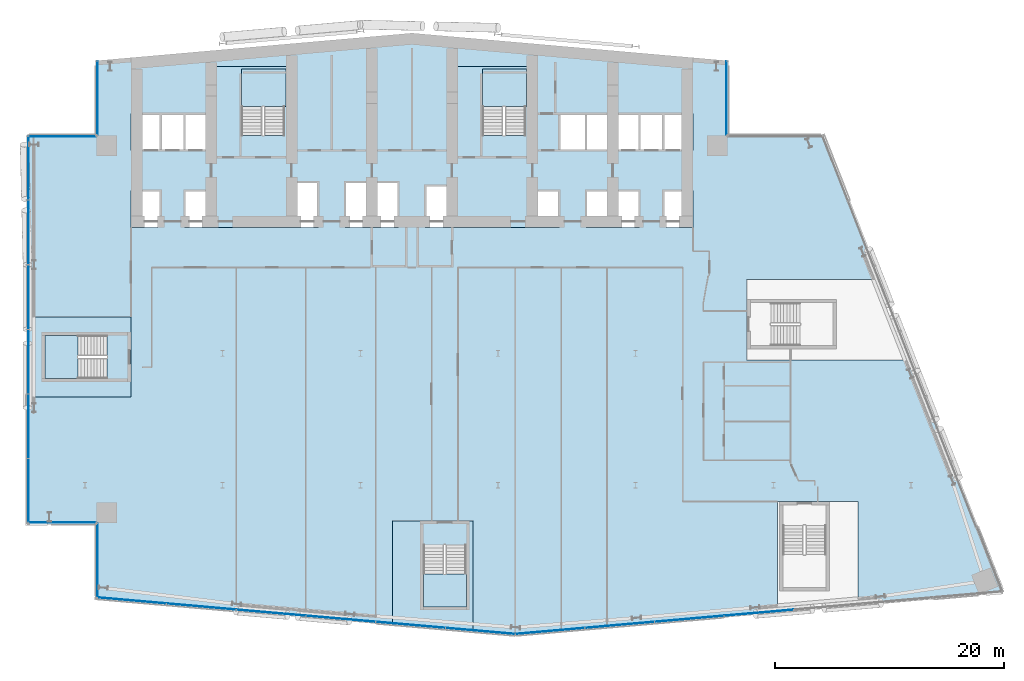
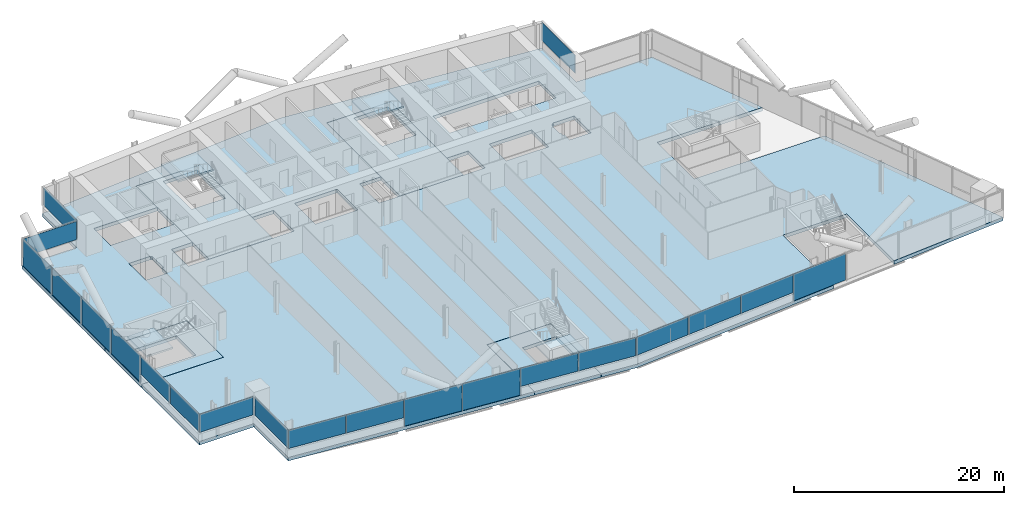
# One storey, part 12 of 26: 21 plates, 9 slabs, 12 elements without a shape of their own.
"""IFC4 building model written with IfcOpenShell, lengths in metres."""

from ifc_helpers import new_model, si_unit, direction, frame, origin, origin_2d, place, context, subcontext, project, spatial, polyline, rectangle, outline, extrude, material, layer, layer_set, type_object, element, aggregate, save


model = new_model("IFC4")

# Units and contexts
model_context = context("Model", 3, precision=1e-05, world=origin(), true_north=direction((0.0, 1.0)))
body_context = subcontext(model_context, "Body", "Model", "MODEL_VIEW")
ifc_project = project(units=[si_unit("LENGTHUNIT", "METRE"), si_unit("AREAUNIT", "SQUARE_METRE"), si_unit("VOLUMEUNIT", "CUBIC_METRE"), si_unit("PLANEANGLEUNIT", "RADIAN"), si_unit("MASSUNIT", "GRAM", prefix="KILO")], contexts=[model_context])

# Site, building, storey
site_placement = place(None, origin())
site = spatial("IfcSite", under=ifc_project, at=site_placement, CompositionType="ELEMENT")
building_placement = place(site_placement, origin())
building = spatial("IfcBuilding", under=site, at=building_placement, Name="Wharfspan Tower", CompositionType="ELEMENT")
storey_placement = place(building_placement, frame((0.0, 0.0, 125.5)))
storey = spatial("IfcBuildingStorey", under=building, at=storey_placement, Name="L29", CompositionType="ELEMENT", Elevation=125.5)

# Curtain wall, plates
ifc_material_1 = material(Name="Aluminium 6063-T6", Category="aluminium")
curtain_wall_type_1 = type_object("IfcCurtainWallType", Name="CURTAIN WALL FACETED FRONT", PredefinedType="NOTDEFINED", material=ifc_material_1)
curtain_wall_1_placement = place(storey_placement, origin())
curtain_wall_1 = element("IfcCurtainWall", 1, at=curtain_wall_1_placement, inside=storey, type_object=curtain_wall_type_1, Name="Curtain wall S1", PredefinedType="NOTDEFINED")
ifc_material_2 = material(Name="Glass clear low-iron double glazing", Category="glass")
ifc_layer_1 = layer(ifc_material_2, 0.040039)
ifc_layer_set_1 = layer_set([ifc_layer_1], Name="Glass clear low-iron double glazing")
plate_type_1 = type_object("IfcPlateType", Name="GLASS PANEL FACETED FRONT 40", PredefinedType="CURTAIN_PANEL", material=ifc_layer_set_1)
plate_1_placement = place(storey_placement, frame((16.061768, 1.467529, 1.0), z_axis=(0.0, 0.0, 1.0), x_axis=(0.996198, -0.087156, 0.0)))
plate_1 = element("IfcPlate", 2, at=plate_1_placement, type_object=plate_type_1, Name="Curtain wall S1 panel 1", PredefinedType="CURTAIN_PANEL", context=body_context, shape_type="SweptSolid", body=[
    extrude(rectangle(XDim=6.016602, YDim=0.040039, at=origin_2d()), origin(), (0.0, 0.0, 1.0), 2.120117),
])
plate_2_placement = place(storey_placement, frame((22.130127, 0.936523, 1.0), z_axis=(0.0, 0.0, 1.0), x_axis=(0.996198, -0.087156, 0.0)))
plate_2 = element("IfcPlate", 3, at=plate_2_placement, type_object=plate_type_1, Name="Curtain wall S1 panel 2", PredefinedType="CURTAIN_PANEL", context=body_context, shape_type="SweptSolid", body=[
    extrude(rectangle(XDim=6.046631, YDim=0.040039, at=origin_2d()), origin(), (0.0, 0.0, 1.0), 2.120117),
])
plate_3_placement = place(storey_placement, frame((40.380127, -0.660156, 1.0), z_axis=(0.0, 0.0, 1.0), x_axis=(0.996198, -0.087156, 0.0)))
plate_3 = element("IfcPlate", 4, at=plate_3_placement, type_object=plate_type_1, Name="Curtain wall S1 panel 5", PredefinedType="CURTAIN_PANEL", context=body_context, shape_type="SweptSolid", body=[
    extrude(rectangle(XDim=6.046631, YDim=0.040039, at=origin_2d()), origin(), (0.0, 0.0, 1.0), 2.120117),
])
plate_4_placement = place(storey_placement, frame((46.44873, -1.191162, 1.0), z_axis=(0.0, 0.0, 1.0), x_axis=(0.996198, -0.087156, 0.0)))
plate_4 = element("IfcPlate", 5, at=plate_4_placement, type_object=plate_type_1, Name="Curtain wall S1 panel 6", PredefinedType="CURTAIN_PANEL", context=body_context, shape_type="SweptSolid", body=[
    extrude(rectangle(XDim=6.016602, YDim=0.040039, at=origin_2d()), origin(), (0.0, 0.0, 1.0), 2.120117),
])

curtain_wall_2_placement = place(storey_placement, origin())
curtain_wall_2 = element("IfcCurtainWall", 6, at=curtain_wall_2_placement, inside=storey, type_object=curtain_wall_type_1, Name="Curtain wall S2", PredefinedType="NOTDEFINED")
plate_5_placement = place(storey_placement, frame((52.54541, -1.19165, 1.0), z_axis=(0.0, 0.0, 1.0), x_axis=(0.996198, 0.087156, 0.0)))
plate_5 = element("IfcPlate", 7, at=plate_5_placement, type_object=plate_type_1, Name="Curtain wall S2 panel 1", PredefinedType="CURTAIN_PANEL", context=body_context, shape_type="SweptSolid", body=[
    extrude(rectangle(XDim=6.004639, YDim=0.040039, at=origin_2d()), origin(), (0.0, 0.0, 1.0), 2.120117),
])
plate_6_placement = place(storey_placement, frame((58.601807, -0.661621, 1.0), z_axis=(0.0, 0.0, 1.0), x_axis=(0.996198, 0.087156, 0.0)))
plate_6 = element("IfcPlate", 8, at=plate_6_placement, type_object=plate_type_1, Name="Curtain wall S2 panel 2", PredefinedType="CURTAIN_PANEL", context=body_context, shape_type="SweptSolid", body=[
    extrude(rectangle(XDim=6.034668, YDim=0.040039, at=origin_2d()), origin(), (0.0, 0.0, 1.0), 2.120117),
])
plate_7_placement = place(storey_placement, frame((64.67334, -0.130615, 1.0), z_axis=(0.0, 0.0, 1.0), x_axis=(0.996198, 0.087156, 0.0)))
plate_7 = element("IfcPlate", 9, at=plate_7_placement, type_object=plate_type_1, Name="Curtain wall S2 panel 3", PredefinedType="CURTAIN_PANEL", context=body_context, shape_type="SweptSolid", body=[
    extrude(rectangle(XDim=6.034668, YDim=0.040039, at=origin_2d()), origin(), (0.0, 0.0, 1.0), 2.120117),
])

# Curtain wall, plate
curtain_wall_type_2 = type_object("IfcCurtainWallType", Name="CURTAIN WALL PROW AND END", PredefinedType="NOTDEFINED", material=ifc_material_1)
curtain_wall_3_placement = place(storey_placement, origin())
curtain_wall_3 = element("IfcCurtainWall", 10, at=curtain_wall_3_placement, inside=storey, type_object=curtain_wall_type_2, Name="Curtain wall NRE-V", PredefinedType="NOTDEFINED")
ifc_layer_2 = layer(ifc_material_2, 0.040039)
ifc_layer_set_2 = layer_set([ifc_layer_2], Name="Glass clear low-iron double glazing")
plate_type_2 = type_object("IfcPlateType", Name="GLASS PANEL PROW AND END 40", PredefinedType="CURTAIN_PANEL", material=ifc_layer_set_2)
plate_8_placement = place(storey_placement, frame((67.919922, 45.262451, 1.0), z_axis=(0.0, 0.0, 1.0), x_axis=(0.0, 1.0, 0.0)))
plate_8 = element("IfcPlate", 11, at=plate_8_placement, type_object=plate_type_2, Name="Curtain wall NRE-V panel 1", PredefinedType="CURTAIN_PANEL", context=body_context, shape_type="SweptSolid", body=[
    extrude(rectangle(XDim=6.405029, YDim=0.040039, at=origin_2d()), origin(), (0.0, 0.0, 1.0), 2.120117),
])
aggregate(curtain_wall_3, [plate_8])

curtain_wall_4_placement = place(storey_placement, origin())
curtain_wall_4 = element("IfcCurtainWall", 12, at=curtain_wall_4_placement, inside=storey, type_object=curtain_wall_type_2, Name="Curtain wall NRW-V", PredefinedType="NOTDEFINED")
plate_9_placement = place(storey_placement, frame((13.080078, 45.262451, 1.0), z_axis=(0.0, 0.0, 1.0), x_axis=(0.0, -1.0, 0.0)))
plate_9 = element("IfcPlate", 13, at=plate_9_placement, type_object=plate_type_2, Name="Curtain wall NRW-V panel 1", PredefinedType="CURTAIN_PANEL", context=body_context, shape_type="SweptSolid", body=[
    extrude(rectangle(XDim=6.405029, YDim=0.040039, at=origin_2d()), origin(), (0.0, 0.0, 1.0), 2.120117),
])
aggregate(curtain_wall_4, [plate_9])

curtain_wall_5_placement = place(storey_placement, origin())
curtain_wall_5 = element("IfcCurtainWall", 14, at=curtain_wall_5_placement, inside=storey, type_object=curtain_wall_type_2, Name="Curtain wall NRW-H", PredefinedType="NOTDEFINED")
plate_10_placement = place(storey_placement, frame((10.0, 41.919922, 1.0), z_axis=(0.0, 0.0, 1.0), x_axis=(-1.0, 0.0, 0.0)))
plate_10 = element("IfcPlate", 15, at=plate_10_placement, type_object=plate_type_2, Name="Curtain wall NRW-H panel 1", PredefinedType="CURTAIN_PANEL", context=body_context, shape_type="SweptSolid", body=[
    extrude(rectangle(XDim=5.879883, YDim=0.040039, at=origin_2d()), origin(), (0.0, 0.0, 1.0), 2.120117),
])
aggregate(curtain_wall_5, [plate_10])

# Curtain wall, plates
curtain_wall_6_placement = place(storey_placement, origin())
curtain_wall_6 = element("IfcCurtainWall", 16, at=curtain_wall_6_placement, inside=storey, type_object=curtain_wall_type_2, Name="Curtain wall W", PredefinedType="NOTDEFINED")
plate_11_placement = place(storey_placement, frame((7.080078, 16.649902, 1.0), z_axis=(0.0, 0.0, 1.0), x_axis=(0.0, -1.0, 0.0)))
plate_11 = element("IfcPlate", 17, at=plate_11_placement, type_object=plate_type_2, Name="Curtain wall W panel 5", PredefinedType="CURTAIN_PANEL", context=body_context, shape_type="SweptSolid", body=[
    extrude(rectangle(XDim=5.573242, YDim=0.040039, at=origin_2d()), origin(), (0.0, 0.0, 1.0), 2.120117),
])
plate_12_placement = place(storey_placement, frame((7.080078, 11.031738, 1.0), z_axis=(0.0, 0.0, 1.0), x_axis=(0.0, -1.0, 0.0)))
plate_12 = element("IfcPlate", 18, at=plate_12_placement, type_object=plate_type_2, Name="Curtain wall W panel 6", PredefinedType="CURTAIN_PANEL", context=body_context, shape_type="SweptSolid", body=[
    extrude(rectangle(XDim=5.543213, YDim=0.040039, at=origin_2d()), origin(), (0.0, 0.0, 1.0), 2.120117),
])

# Curtain wall, plate
curtain_wall_7_placement = place(storey_placement, origin())
curtain_wall_7 = element("IfcCurtainWall", 19, at=curtain_wall_7_placement, inside=storey, type_object=curtain_wall_type_2, Name="Curtain wall NFW-H", PredefinedType="NOTDEFINED")
plate_13_placement = place(storey_placement, frame((10.0, 8.280029, 1.0), z_axis=(0.0, 0.0, 1.0), x_axis=(1.0, 0.0, 0.0)))
plate_13 = element("IfcPlate", 20, at=plate_13_placement, type_object=plate_type_2, Name="Curtain wall NFW-H panel 1", PredefinedType="CURTAIN_PANEL", context=body_context, shape_type="SweptSolid", body=[
    extrude(rectangle(XDim=5.879883, YDim=0.040039, at=origin_2d()), origin(), (0.0, 0.0, 1.0), 2.120117),
])
aggregate(curtain_wall_7, [plate_13])

curtain_wall_8_placement = place(storey_placement, origin())
curtain_wall_8 = element("IfcCurtainWall", 21, at=curtain_wall_8_placement, inside=storey, type_object=curtain_wall_type_2, Name="Curtain wall NFW-V", PredefinedType="NOTDEFINED")
plate_14_placement = place(storey_placement, frame((13.080078, 4.9375, 1.0), z_axis=(0.0, 0.0, 1.0), x_axis=(0.0, -1.0, 0.0)))
plate_14 = element("IfcPlate", 22, at=plate_14_placement, type_object=plate_type_2, Name="Curtain wall NFW-V panel 1", PredefinedType="CURTAIN_PANEL", context=body_context, shape_type="SweptSolid", body=[
    extrude(rectangle(XDim=6.405029, YDim=0.040039, at=origin_2d()), origin(), (0.0, 0.0, 1.0), 2.120117),
])
aggregate(curtain_wall_8, [plate_14])

# Plate
ifc_material_3 = material(Name="Aluminium composite opaque insulated panel", Category="aluminium")
ifc_layer_3 = layer(ifc_material_3, 0.040039)
ifc_layer_set_3 = layer_set([ifc_layer_3], Name="Aluminium composite opaque insulated panel")
plate_type_3 = type_object("IfcPlateType", Name="INFILL PANEL FACETED FRONT OPAQUE 40", PredefinedType="SHEET", material=ifc_layer_set_3)
plate_15_placement = place(storey_placement, frame((28.213623, 0.404297, 0.0), z_axis=(0.0, 0.0, 1.0), x_axis=(0.996198, -0.087156, 0.0)))
plate_15 = element("IfcPlate", 23, at=plate_15_placement, type_object=plate_type_3, Name="Curtain wall S1 panel 3", PredefinedType="SHEET", context=body_context, shape_type="SweptSolid", body=[
    extrude(rectangle(XDim=6.046631, YDim=0.040039, at=origin_2d()), origin(), (0.0, 0.0, 1.0), 3.120117),
])

plate_16_placement = place(storey_placement, frame((34.296875, -0.12793, 0.0), z_axis=(0.0, 0.0, 1.0), x_axis=(0.996198, -0.087156, 0.0)))
plate_16 = element("IfcPlate", 24, at=plate_16_placement, type_object=plate_type_3, Name="Curtain wall S1 panel 4", PredefinedType="SHEET", context=body_context, shape_type="SweptSolid", body=[
    extrude(rectangle(XDim=6.046631, YDim=0.040039, at=origin_2d()), origin(), (0.0, 0.0, 1.0), 3.120117),
])

aggregate(curtain_wall_1, [plate_1, plate_2, plate_15, plate_16, plate_3, plate_4])

plate_17_placement = place(storey_placement, frame((70.744873, 0.400635, 0.0), z_axis=(0.0, 0.0, 1.0), x_axis=(0.996198, 0.087156, 0.0)))
plate_17 = element("IfcPlate", 25, at=plate_17_placement, type_object=plate_type_3, Name="Curtain wall S2 panel 4", PredefinedType="SHEET", context=body_context, shape_type="SweptSolid", body=[
    extrude(rectangle(XDim=6.034668, YDim=0.040039, at=origin_2d()), origin(), (0.0, 0.0, 1.0), 3.120117),
])

aggregate(curtain_wall_2, [plate_5, plate_6, plate_7, plate_17])

ifc_layer_4 = layer(ifc_material_3, 0.040039)
ifc_layer_set_4 = layer_set([ifc_layer_4], Name="Aluminium composite opaque insulated panel")
plate_type_4 = type_object("IfcPlateType", Name="INFILL PANEL PROW AND END OPAQUE 40", PredefinedType="SHEET", material=ifc_layer_set_4)
plate_18_placement = place(storey_placement, frame((7.080078, 39.168213, 0.0), z_axis=(0.0, 0.0, 1.0), x_axis=(0.0, -1.0, 0.0)))
plate_18 = element("IfcPlate", 26, at=plate_18_placement, type_object=plate_type_4, Name="Curtain wall W panel 1", PredefinedType="SHEET", context=body_context, shape_type="SweptSolid", body=[
    extrude(rectangle(XDim=5.543213, YDim=0.040039, at=origin_2d()), origin(), (0.0, 0.0, 1.0), 3.120117),
])

plate_19_placement = place(storey_placement, frame((7.080078, 33.550049, 0.0), z_axis=(0.0, 0.0, 1.0), x_axis=(0.0, -1.0, 0.0)))
plate_19 = element("IfcPlate", 27, at=plate_19_placement, type_object=plate_type_4, Name="Curtain wall W panel 2", PredefinedType="SHEET", context=body_context, shape_type="SweptSolid", body=[
    extrude(rectangle(XDim=5.573242, YDim=0.040039, at=origin_2d()), origin(), (0.0, 0.0, 1.0), 3.120117),
])

plate_20_placement = place(storey_placement, frame((7.080078, 27.916748, 0.0), z_axis=(0.0, 0.0, 1.0), x_axis=(0.0, -1.0, 0.0)))
plate_20 = element("IfcPlate", 28, at=plate_20_placement, type_object=plate_type_4, Name="Curtain wall W panel 3", PredefinedType="SHEET", context=body_context, shape_type="SweptSolid", body=[
    extrude(rectangle(XDim=5.573242, YDim=0.040039, at=origin_2d()), origin(), (0.0, 0.0, 1.0), 3.120117),
])

plate_21_placement = place(storey_placement, frame((7.080078, 22.283447, 0.0), z_axis=(0.0, 0.0, 1.0), x_axis=(0.0, -1.0, 0.0)))
plate_21 = element("IfcPlate", 29, at=plate_21_placement, type_object=plate_type_4, Name="Curtain wall W panel 4", PredefinedType="SHEET", context=body_context, shape_type="SweptSolid", body=[
    extrude(rectangle(XDim=5.573242, YDim=0.040039, at=origin_2d()), origin(), (0.0, 0.0, 1.0), 3.120117),
])

aggregate(curtain_wall_6, [plate_18, plate_19, plate_20, plate_21, plate_11, plate_12])

# Slabs
ifc_material_4 = material(Name="Concrete C40/50", Category="concrete")
ifc_layer_5 = layer(ifc_material_4, 0.399902)
ifc_layer_set_5 = layer_set([ifc_layer_5], Name="Concrete C40/50")
slab_type_1 = type_object("IfcSlabType", Name="Post-tensioned flat slab 400", PredefinedType="FLOOR", material=ifc_layer_set_5)
slab_1_placement = place(storey_placement, frame((0.0, 0.0, -0.400146)))
element("IfcSlab", 30, at=slab_1_placement, inside=storey, type_object=slab_type_1, Name="Floor slab L29", PredefinedType="FLOOR", context=body_context, shape_type="SweptSolid", body=[
    extrude(outline(polyline([(38.800293, -0.582275), (38.800293, 8.427002), (45.820312, 8.427002), (45.820312, -1.196289), (49.5, -1.518311), (72.355957, 0.481445), (72.355957, 10.104736), (79.375977, 10.104736), (79.375977, 1.095459), (92.0, 2.199951), (84.04541, 22.439941), (69.68042, 22.439941), (69.68042, 29.459961), (81.286621, 29.459961), (76.358154, 42.0), (68.0, 42.0), (68.0, 48.524902), (40.5, 50.930908), (13.0, 48.524902), (13.0, 42.0), (7.0, 42.0), (7.0, 26.209961), (16.01001, 26.209961), (16.01001, 19.189941), (7.0, 19.189941), (7.0, 8.199951), (13.0, 8.199951), (13.0, 1.675049), (38.800293, -0.582275)]), holes=[polyline([(62.48999, 35.389893), (62.36499, 35.389893), (62.36499, 36.909912), (62.48999, 36.909912), (62.48999, 37.110107), (62.656738, 37.110107), (62.656738, 37.209961), (65.01001, 37.209961), (65.01001, 33.98999), (62.656738, 33.98999), (62.656738, 34.98999), (62.48999, 34.98999), (62.48999, 35.389893)]), polyline([(65.01001, 43.909912), (65.01001, 40.689941), (53.323242, 40.689941), (53.323242, 43.909912), (65.01001, 43.909912)]), polyline([(55.656738, 33.98999), (55.656738, 37.209961), (60.343262, 37.209961), (60.343262, 33.98999), (55.656738, 33.98999)]), polyline([(43.98999, 37.659912), (43.98999, 48.01001), (51.01001, 48.01001), (51.01001, 37.209961), (53.343262, 37.209961), (53.343262, 33.98999), (41.656738, 33.98999), (41.656738, 37.659912), (43.98999, 37.659912)]), polyline([(34.656738, 33.98999), (34.656738, 37.959961), (39.343262, 37.959961), (39.343262, 33.98999), (34.656738, 33.98999)]), polyline([(20.656738, 37.209961), (22.98999, 37.209961), (22.98999, 40.689941), (20.676758, 40.689941), (20.656738, 40.689941), (15.98999, 40.689941), (15.98999, 43.909912), (20.656738, 43.909912), (20.676758, 43.909912), (22.98999, 43.909912), (22.98999, 48.01001), (30.01001, 48.01001), (30.01001, 37.959961), (32.343262, 37.959961), (32.343262, 33.98999), (20.656738, 33.98999), (20.656738, 37.209961)]), polyline([(18.51001, 34.98999), (18.343262, 34.98999), (18.343262, 33.98999), (15.98999, 33.98999), (15.98999, 37.209961), (18.343262, 37.209961), (18.343262, 37.110107), (18.51001, 37.110107), (18.51001, 34.98999)])]), origin(), (0.0, 0.0, 1.0), 0.400146),
])
slab_2_placement = place(storey_placement, frame((0.0, 0.0, -0.400146)))
element("IfcSlab", 31, at=slab_2_placement, inside=storey, type_object=slab_type_1, Name="Core floor slab L29 part 1", PredefinedType="FLOOR", context=body_context, shape_type="SweptSolid", body=[
    extrude(outline(polyline([(16.0, 20.524902), (16.0, 24.875), (16.0, 26.199951), (7.0, 26.199951), (7.0, 19.199951), (16.0, 19.199951), (16.0, 20.524902)]), holes=[polyline([(13.9021, 20.824951), (13.9021, 20.824707), (13.9021, 20.824707), (13.901855, 20.824463), (13.901855, 20.824219), (13.901855, 20.824219), (13.901611, 20.823975), (13.901611, 20.82373), (13.901367, 20.823486), (13.901367, 20.823486), (13.901123, 20.823242), (13.900879, 20.823242), (13.900879, 20.823242), (13.900635, 20.822998), (13.900391, 20.822998), (13.900146, 20.822998), (13.899902, 20.822998), (8.5, 20.822998), (8.499756, 20.822998), (8.499512, 20.822998), (8.499512, 20.822998), (8.499268, 20.823242), (8.499023, 20.823242), (8.498779, 20.823242), (8.498779, 20.823486), (8.498535, 20.823486), (8.498535, 20.82373), (8.498291, 20.823975), (8.498291, 20.824219), (8.498291, 20.824219), (8.498047, 20.824463), (8.498047, 20.824707), (8.498047, 20.824707), (8.498047, 20.824951), (8.498047, 24.574951), (8.498047, 24.575195), (8.498047, 24.575439), (8.498047, 24.575684), (8.498291, 24.575684), (8.498291, 24.575928), (8.498291, 24.576172), (8.498535, 24.576416), (8.498535, 24.576416), (8.498779, 24.576416), (8.498779, 24.57666), (8.499023, 24.576904), (8.499268, 24.576904), (8.499512, 24.576904), (8.499512, 24.576904), (8.499756, 24.576904), (8.5, 24.576904), (13.899902, 24.576904), (13.900146, 24.576904), (13.900391, 24.576904), (13.900635, 24.576904), (13.900879, 24.576904), (13.900879, 24.576904), (13.901123, 24.57666), (13.901367, 24.576416), (13.901367, 24.576416), (13.901611, 24.576416), (13.901611, 24.576172), (13.901855, 24.575928), (13.901855, 24.575684), (13.901855, 24.575684), (13.9021, 24.575439), (13.9021, 24.575195), (13.9021, 24.574951), (13.9021, 20.824951)])]), origin(), (0.0, 0.0, 1.0), 0.400146),
])
slab_3_placement = place(storey_placement, frame((0.0, 0.0, -0.400146)))
element("IfcSlab", 32, at=slab_3_placement, inside=storey, type_object=slab_type_1, Name="Core floor slab L29 part 2", PredefinedType="FLOOR", context=body_context, shape_type="SweptSolid", body=[
    extrude(outline(polyline([(20.664795, 34.0), (20.664795, 37.199951), (20.664795, 37.200195), (20.664795, 37.200439), (20.664795, 37.200684), (20.664795, 37.200684), (20.664795, 37.200928), (20.665039, 37.201172), (20.665039, 37.201416), (20.665283, 37.201416), (20.665283, 37.201416), (20.665527, 37.20166), (20.665771, 37.201904), (20.666016, 37.201904), (20.666016, 37.201904), (20.66626, 37.201904), (20.666504, 37.201904), (20.666748, 37.201904), (23.0, 37.201904), (23.000244, 37.201904), (23.000488, 37.201904), (23.000488, 37.201904), (23.000732, 37.201904), (23.000977, 37.201904), (23.001221, 37.20166), (23.001221, 37.201416), (23.001465, 37.201416), (23.001465, 37.201416), (23.001709, 37.201172), (23.001709, 37.200928), (23.001709, 37.200684), (23.001953, 37.200684), (23.001953, 37.200439), (23.001953, 37.200195), (23.001953, 37.199951), (23.001953, 34.0), (29.998047, 34.0), (29.998047, 37.949951), (29.998047, 37.950195), (29.998047, 37.950439), (29.998047, 37.950684), (29.998291, 37.950684), (29.998291, 37.950928), (29.998291, 37.951172), (29.998535, 37.951416), (29.998535, 37.951416), (29.998779, 37.951416), (29.998779, 37.95166), (29.999023, 37.951904), (29.999268, 37.951904), (29.999512, 37.951904), (29.999512, 37.951904), (29.999756, 37.951904), (30.0, 37.951904), (32.333252, 37.951904), (32.333496, 37.951904), (32.33374, 37.951904), (32.333984, 37.951904), (32.333984, 37.951904), (32.334229, 37.951904), (32.334473, 37.95166), (32.334717, 37.951416), (32.334717, 37.951416), (32.334961, 37.951416), (32.334961, 37.951172), (32.335205, 37.950928), (32.335205, 37.950684), (32.335205, 37.950684), (32.335205, 37.950439), (32.335205, 37.950195), (32.335205, 37.949951), (32.335205, 34.0), (32.341309, 34.0), (32.341309, 37.958008), (30.01001, 37.958008), (30.009766, 37.958008), (30.009521, 37.958008), (30.009521, 37.958008), (30.009277, 37.958252), (30.009033, 37.958252), (30.008789, 37.958252), (30.008789, 37.958496), (30.008545, 37.958496), (30.008545, 37.95874), (30.008301, 37.958984), (30.008301, 37.958984), (30.008301, 37.959229), (30.008057, 37.959473), (30.008057, 37.959717), (30.008057, 37.959717), (30.008057, 37.959961), (30.008057, 48.008057), (22.991943, 48.008057), (22.991943, 43.909912), (22.991943, 43.909912), (22.991943, 43.909668), (22.991943, 43.909424), (22.991699, 43.90918), (22.991699, 43.90918), (22.991699, 43.908936), (22.991455, 43.908691), (22.991455, 43.908691), (22.991211, 43.908447), (22.991211, 43.908203), (22.990967, 43.908203), (22.990723, 43.908203), (22.990479, 43.908203), (22.990479, 43.907959), (22.990234, 43.907959), (22.98999, 43.907959), (16.0, 43.907959), (16.0, 43.9021), (20.666748, 43.9021), (20.666748, 43.9021), (23.0, 43.9021), (23.000244, 43.9021), (23.000488, 43.9021), (23.000488, 43.901855), (23.000732, 43.901855), (23.000977, 43.901855), (23.001221, 43.901611), (23.001221, 43.901611), (23.001465, 43.901367), (23.001465, 43.901367), (23.001709, 43.901123), (23.001709, 43.900879), (23.001709, 43.900879), (23.001953, 43.900635), (23.001953, 43.900391), (23.001953, 43.900146), (23.001953, 43.899902), (23.001953, 40.699951), (23.001953, 40.699707), (23.001953, 40.699707), (23.001953, 40.699463), (23.001709, 40.699219), (23.001709, 40.699219), (23.001709, 40.698975), (23.001465, 40.69873), (23.001465, 40.698486), (23.001221, 40.698486), (23.001221, 40.698242), (23.000977, 40.698242), (23.000732, 40.698242), (23.000488, 40.697998), (23.000488, 40.697998), (23.000244, 40.697998), (23.0, 40.697998), (20.666748, 40.697998), (20.666748, 40.697998), (16.0, 40.697998), (16.0, 40.691895), (22.98999, 40.691895), (22.990234, 40.691895), (22.990479, 40.691895), (22.990479, 40.691895), (22.990723, 40.691895), (22.990967, 40.691895), (22.991211, 40.69165), (22.991211, 40.691406), (22.991455, 40.691406), (22.991455, 40.691406), (22.991699, 40.691162), (22.991699, 40.690918), (22.991699, 40.690918), (22.991943, 40.690674), (22.991943, 40.69043), (22.991943, 40.690186), (22.991943, 40.689941), (22.991943, 37.209961), (22.991943, 37.209717), (22.991943, 37.209717), (22.991943, 37.209473), (22.991699, 37.209229), (22.991699, 37.208984), (22.991699, 37.208984), (22.991455, 37.20874), (22.991455, 37.208496), (22.991211, 37.208496), (22.991211, 37.208252), (22.990967, 37.208252), (22.990723, 37.208252), (22.990479, 37.208008), (22.990479, 37.208008), (22.990234, 37.208008), (22.98999, 37.208008), (20.658691, 37.208008), (20.658691, 34.0), (20.664795, 34.0)]), holes=[polyline([(25.649902, 41.998047), (25.649902, 41.998047), (25.649658, 41.998047), (25.649414, 41.998047), (25.64917, 41.998291), (25.64917, 41.998291), (25.648926, 41.998291), (25.648682, 41.998535), (25.648682, 41.998535), (25.648438, 41.998779), (25.648193, 41.998779), (25.648193, 41.999023), (25.648193, 41.999268), (25.648193, 41.999512), (25.647949, 41.999512), (25.647949, 41.999756), (25.647949, 42.0), (25.647949, 47.399902), (25.647949, 47.400146), (25.647949, 47.400391), (25.648193, 47.400635), (25.648193, 47.400879), (25.648193, 47.400879), (25.648193, 47.401123), (25.648438, 47.401367), (25.648682, 47.401367), (25.648682, 47.401611), (25.648926, 47.401611), (25.64917, 47.401855), (25.64917, 47.401855), (25.649414, 47.401855), (25.649658, 47.4021), (25.649902, 47.4021), (25.649902, 47.4021), (29.399902, 47.4021), (29.400146, 47.4021), (29.400391, 47.4021), (29.400635, 47.401855), (29.400879, 47.401855), (29.400879, 47.401855), (29.401123, 47.401611), (29.401367, 47.401611), (29.401367, 47.401367), (29.401611, 47.401367), (29.401611, 47.401123), (29.401855, 47.400879), (29.401855, 47.400879), (29.401855, 47.400635), (29.4021, 47.400391), (29.4021, 47.400146), (29.4021, 47.399902), (29.4021, 42.0), (29.4021, 41.999756), (29.4021, 41.999512), (29.401855, 41.999512), (29.401855, 41.999268), (29.401855, 41.999023), (29.401611, 41.998779), (29.401611, 41.998779), (29.401367, 41.998535), (29.401367, 41.998535), (29.401123, 41.998291), (29.400879, 41.998291), (29.400879, 41.998291), (29.400635, 41.998047), (29.400391, 41.998047), (29.400146, 41.998047), (29.399902, 41.998047), (25.649902, 41.998047)])]), origin(), (0.0, 0.0, 1.0), 0.400146),
])
slab_4_placement = place(storey_placement, frame((0.0, 0.0, -0.400146)))
element("IfcSlab", 33, at=slab_4_placement, inside=storey, type_object=slab_type_1, Name="Core floor slab L29 part 3", PredefinedType="FLOOR", context=body_context, shape_type="SweptSolid", body=[
    extrude(outline(polyline([(45.5354, 8.416992), (41.185303, 8.416992), (38.810303, 8.416992), (38.810303, -0.583008), (45.810303, -1.195557), (45.810303, 8.416992), (45.5354, 8.416992)]), holes=[polyline([(41.483398, 6.316895), (41.483398, 6.317139), (41.483398, 6.317383), (41.483398, 6.317383), (41.483398, 6.317627), (41.483398, 6.317871), (41.483643, 6.318115), (41.483643, 6.318115), (41.483887, 6.318359), (41.483887, 6.318604), (41.484131, 6.318604), (41.484375, 6.318604), (41.484619, 6.318848), (41.484619, 6.318848), (41.484863, 6.318848), (41.485107, 6.319092), (41.485352, 6.319092), (45.235352, 6.319092), (45.235596, 6.319092), (45.235596, 6.318848), (45.23584, 6.318848), (45.236084, 6.318848), (45.236084, 6.318604), (45.236328, 6.318604), (45.236572, 6.318604), (45.236816, 6.318359), (45.236816, 6.318115), (45.236816, 6.318115), (45.237061, 6.317871), (45.237061, 6.317627), (45.237305, 6.317383), (45.237305, 6.317383), (45.237305, 6.317139), (45.237305, 6.316895), (45.237305, 0.916992), (45.237305, 0.916748), (45.237305, 0.916504), (45.237305, 0.916504), (45.237061, 0.91626), (45.237061, 0.916016), (45.236816, 0.916016), (45.236816, 0.915771), (45.236816, 0.915527), (45.236572, 0.915283), (45.236328, 0.915283), (45.236084, 0.915283), (45.236084, 0.915039), (45.23584, 0.915039), (45.235596, 0.915039), (45.235596, 0.915039), (45.235352, 0.915039), (41.485352, 0.915039), (41.485107, 0.915039), (41.484863, 0.915039), (41.484619, 0.915039), (41.484619, 0.915039), (41.484375, 0.915283), (41.484131, 0.915283), (41.483887, 0.915283), (41.483887, 0.915527), (41.483643, 0.915771), (41.483643, 0.916016), (41.483398, 0.916016), (41.483398, 0.91626), (41.483398, 0.916504), (41.483398, 0.916504), (41.483398, 0.916748), (41.483398, 0.916992), (41.483398, 6.316895)])]), origin(), (0.0, 0.0, 1.0), 0.400146),
])
slab_5_placement = place(storey_placement, frame((0.0, 0.0, -0.400146)))
element("IfcSlab", 34, at=slab_5_placement, inside=storey, type_object=slab_type_1, Name="Core floor slab L29 part 4", PredefinedType="FLOOR", context=body_context, shape_type="SweptSolid", body=[
    extrude(outline(polyline([(53.341309, 34.0), (53.341309, 37.208008), (51.01001, 37.208008), (51.009766, 37.208008), (51.009521, 37.208008), (51.009521, 37.208008), (51.009277, 37.208252), (51.009033, 37.208252), (51.008789, 37.208252), (51.008789, 37.208496), (51.008545, 37.208496), (51.008545, 37.20874), (51.008301, 37.208984), (51.008301, 37.208984), (51.008301, 37.209229), (51.008057, 37.209473), (51.008057, 37.209717), (51.008057, 37.209717), (51.008057, 37.209961), (51.008057, 48.008057), (43.991943, 48.008057), (43.991943, 37.659912), (43.991943, 37.659912), (43.991943, 37.659668), (43.991943, 37.659424), (43.991699, 37.65918), (43.991699, 37.65918), (43.991699, 37.658936), (43.991455, 37.658691), (43.991455, 37.658691), (43.991211, 37.658447), (43.991211, 37.658203), (43.990967, 37.658203), (43.990723, 37.658203), (43.990479, 37.658203), (43.990479, 37.657959), (43.990234, 37.657959), (43.98999, 37.657959), (41.658691, 37.657959), (41.658691, 34.0), (41.664795, 34.0), (41.664795, 37.649902), (41.664795, 37.650146), (41.664795, 37.650391), (41.664795, 37.650635), (41.664795, 37.650879), (41.664795, 37.650879), (41.665039, 37.651123), (41.665039, 37.651367), (41.665283, 37.651367), (41.665283, 37.651611), (41.665527, 37.651611), (41.665771, 37.651855), (41.666016, 37.651855), (41.666016, 37.651855), (41.66626, 37.6521), (41.666504, 37.6521), (41.666748, 37.6521), (44.0, 37.6521), (44.000244, 37.6521), (44.000488, 37.6521), (44.000488, 37.651855), (44.000732, 37.651855), (44.000977, 37.651855), (44.001221, 37.651611), (44.001221, 37.651611), (44.001465, 37.651367), (44.001465, 37.651367), (44.001709, 37.651123), (44.001709, 37.650879), (44.001709, 37.650879), (44.001953, 37.650635), (44.001953, 37.650391), (44.001953, 37.650146), (44.001953, 37.649902), (44.001953, 34.0), (50.998047, 34.0), (50.998047, 37.199951), (50.998047, 37.200195), (50.998047, 37.200439), (50.998047, 37.200684), (50.998291, 37.200684), (50.998291, 37.200928), (50.998291, 37.201172), (50.998535, 37.201416), (50.998535, 37.201416), (50.998779, 37.201416), (50.998779, 37.20166), (50.999023, 37.201904), (50.999268, 37.201904), (50.999512, 37.201904), (50.999512, 37.201904), (50.999756, 37.201904), (51.0, 37.201904), (53.333252, 37.201904), (53.333496, 37.201904), (53.33374, 37.201904), (53.333984, 37.201904), (53.333984, 37.201904), (53.334229, 37.201904), (53.334473, 37.20166), (53.334717, 37.201416), (53.334717, 37.201416), (53.334961, 37.201416), (53.334961, 37.201172), (53.335205, 37.200928), (53.335205, 37.200684), (53.335205, 37.200684), (53.335205, 37.200439), (53.335205, 37.200195), (53.335205, 37.199951), (53.335205, 34.0), (53.341309, 34.0)]), holes=[polyline([(50.4021, 42.0), (50.4021, 41.999756), (50.4021, 41.999512), (50.401855, 41.999512), (50.401855, 41.999268), (50.401855, 41.999023), (50.401611, 41.998779), (50.401611, 41.998779), (50.401367, 41.998535), (50.401367, 41.998535), (50.401123, 41.998291), (50.400879, 41.998291), (50.400879, 41.998291), (50.400635, 41.998047), (50.400391, 41.998047), (50.400146, 41.998047), (50.399902, 41.998047), (46.649902, 41.998047), (46.649902, 41.998047), (46.649658, 41.998047), (46.649414, 41.998047), (46.64917, 41.998291), (46.64917, 41.998291), (46.648926, 41.998291), (46.648682, 41.998535), (46.648682, 41.998535), (46.648438, 41.998779), (46.648193, 41.998779), (46.648193, 41.999023), (46.648193, 41.999268), (46.648193, 41.999512), (46.647949, 41.999512), (46.647949, 41.999756), (46.647949, 42.0), (46.647949, 47.399902), (46.647949, 47.400146), (46.647949, 47.400391), (46.648193, 47.400635), (46.648193, 47.400879), (46.648193, 47.400879), (46.648193, 47.401123), (46.648438, 47.401367), (46.648682, 47.401367), (46.648682, 47.401611), (46.648926, 47.401611), (46.64917, 47.401855), (46.64917, 47.401855), (46.649414, 47.401855), (46.649658, 47.4021), (46.649902, 47.4021), (46.649902, 47.4021), (50.399902, 47.4021), (50.400146, 47.4021), (50.400391, 47.4021), (50.400635, 47.401855), (50.400879, 47.401855), (50.400879, 47.401855), (50.401123, 47.401611), (50.401367, 47.401611), (50.401367, 47.401367), (50.401611, 47.401367), (50.401611, 47.401123), (50.401855, 47.400879), (50.401855, 47.400879), (50.401855, 47.400635), (50.4021, 47.400391), (50.4021, 47.400146), (50.4021, 47.399902), (50.4021, 42.0)])]), origin(), (0.0, 0.0, 1.0), 0.400146),
])

# Stair, slab
stair_type = type_object("IfcStairType", Name="Half-turn stair 20 risers 180 mm", PredefinedType="HALF_TURN_STAIR", material=ifc_material_4)
stair_1_placement = place(storey_placement, origin())
stair_1 = element("IfcStair", 35, at=stair_1_placement, inside=storey, type_object=stair_type, Name="L29 stair ST1", PredefinedType="HALF_TURN_STAIR")
ifc_layer_6 = layer(ifc_material_4, 0.199951)
ifc_layer_set_6 = layer_set([ifc_layer_6], Name="Concrete C40/50")
slab_type_2 = type_object("IfcSlabType", Name="Stair landing 200", PredefinedType="LANDING", material=ifc_layer_set_6)
slab_6_placement = place(storey_placement, frame((0.0, 0.0, 1.599854)))
slab_6 = element("IfcSlab", 36, at=slab_6_placement, type_object=slab_type_2, Name="ST1 landing 1", PredefinedType="LANDING", context=body_context, shape_type="SweptSolid", body=[
    extrude(outline(polyline([(25.649902, 44.52002), (29.5, 44.52002), (29.5, 47.783691), (25.649902, 47.783691), (25.649902, 44.52002)])), origin(), (0.0, 0.0, 1.0), 0.200195),
])
aggregate(stair_1, [slab_6])

stair_2_placement = place(storey_placement, origin())
stair_2 = element("IfcStair", 37, at=stair_2_placement, inside=storey, type_object=stair_type, Name="L29 stair ST2", PredefinedType="HALF_TURN_STAIR")
slab_7_placement = place(storey_placement, frame((0.0, 0.0, 1.599854)))
slab_7 = element("IfcSlab", 38, at=slab_7_placement, type_object=slab_type_2, Name="ST2 landing 1", PredefinedType="LANDING", context=body_context, shape_type="SweptSolid", body=[
    extrude(outline(polyline([(46.649902, 44.52002), (50.5, 44.52002), (50.5, 47.783691), (46.649902, 47.783691), (46.649902, 44.52002)])), origin(), (0.0, 0.0, 1.0), 0.200195),
])
aggregate(stair_2, [slab_7])

stair_3_placement = place(storey_placement, origin())
stair_3 = element("IfcStair", 39, at=stair_3_placement, inside=storey, type_object=stair_type, Name="L29 stair ST3", PredefinedType="HALF_TURN_STAIR")
slab_8_placement = place(storey_placement, frame((0.0, 0.0, 1.599854)))
slab_8 = element("IfcSlab", 40, at=slab_8_placement, type_object=slab_type_2, Name="ST3 landing 1", PredefinedType="LANDING", context=body_context, shape_type="SweptSolid", body=[
    extrude(outline(polyline([(11.379883, 24.574951), (8.5, 24.574951), (8.5, 20.824951), (11.379883, 20.824951), (11.379883, 24.574951)])), origin(), (0.0, 0.0, 1.0), 0.200195),
])
aggregate(stair_3, [slab_8])

stair_4_placement = place(storey_placement, origin())
stair_4 = element("IfcStair", 41, at=stair_4_placement, inside=storey, type_object=stair_type, Name="L29 stair ST4", PredefinedType="HALF_TURN_STAIR")
slab_9_placement = place(storey_placement, frame((0.0, 0.0, 1.599854)))
slab_9 = element("IfcSlab", 42, at=slab_9_placement, type_object=slab_type_2, Name="ST4 landing 1", PredefinedType="LANDING", context=body_context, shape_type="SweptSolid", body=[
    extrude(outline(polyline([(41.485352, 3.796875), (41.485352, 0.916992), (45.235352, 0.916992), (45.235352, 3.796875), (41.485352, 3.796875)])), origin(), (0.0, 0.0, 1.0), 0.200195),
])
aggregate(stair_4, [slab_9])

save(model, "model.ifc")
